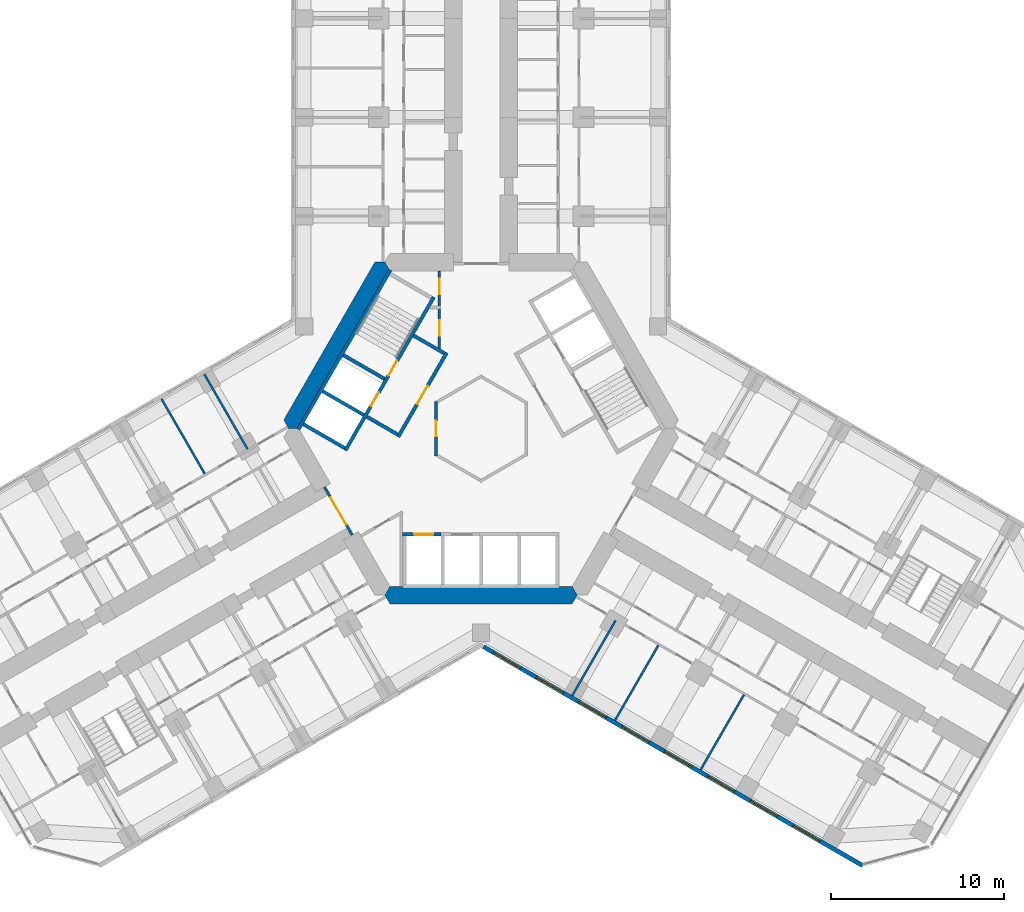
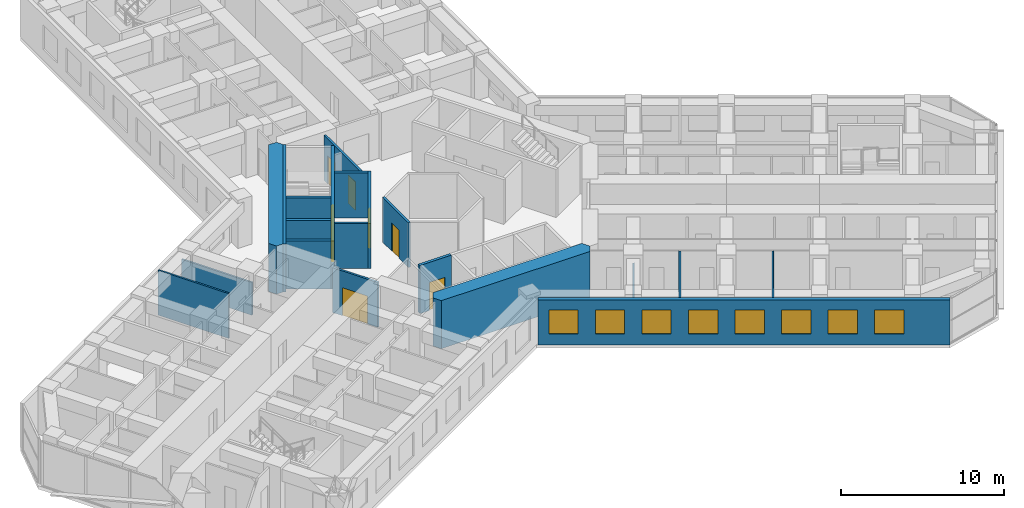
# One storey, part 13 of 21: 20 walls, 8 doors, 8 windows, 16 openings.
"""IFC4 building model written with IfcOpenShell, lengths in metres."""

from ifc_helpers import new_model, si_unit, direction, frame, frame_2d, origin, place, context, subcontext, project, spatial, polyline, rectangle, outline, extrude, material, layer, layer_set, type_object, element, fill, save


model = new_model("IFC4")

# Units and contexts
model_context = context("Model", 3, precision=1e-05, world=origin(), true_north=direction((0.0, 1.0)))
body_context = subcontext(model_context, "Body", "Model", "MODEL_VIEW")
ifc_project = project(units=[si_unit("LENGTHUNIT", "METRE"), si_unit("AREAUNIT", "SQUARE_METRE"), si_unit("VOLUMEUNIT", "CUBIC_METRE"), si_unit("PLANEANGLEUNIT", "RADIAN"), si_unit("MASSUNIT", "GRAM", prefix="KILO")], contexts=[model_context])

# Site, building, storey
site_placement = place(None, origin())
site = spatial("IfcSite", under=ifc_project, at=site_placement, CompositionType="ELEMENT")
building_placement = place(site_placement, origin())
building = spatial("IfcBuilding", under=site, at=building_placement, Name="Kosmar Iwan School Tower", CompositionType="ELEMENT")
storey_placement = place(building_placement, frame((0.0, 0.0, 68.199951171875)))
storey = spatial("IfcBuildingStorey", under=building, at=storey_placement, Name="L16", CompositionType="ELEMENT", Elevation=68.199951171875)

# Wall, openings, doors
ifc_material_1 = material(Name="Gypsum board on steel studs, fire-rated", Category="steel")
ifc_layer_1 = layer(ifc_material_1, 0.14990234375)
ifc_layer_set_1 = layer_set([ifc_layer_1], Name="Core room partition 150")
wall_type_1 = type_object("IfcWallType", Name="Core room partition 150", PredefinedType="PARTITIONING", material=ifc_layer_set_1)
wall_1_placement = place(storey_placement, frame((-2.39990234375, 9.094970703125, 0.0), z_axis=(0.0, 0.0, 1.0), x_axis=(0.0, -1.0, 0.0)))
wall_1 = element("IfcWall", 1, at=wall_1_placement, inside=storey, type_object=wall_type_1, Name="Core room partition L16-CW1", PredefinedType="PARTITIONING", context=body_context, shape_type="SweptSolid", body=[
    extrude(rectangle(XDim=4.564208984375, YDim=0.14990234375, at=frame_2d((2.2822265625, 0.0))), origin(), (0.0, 0.0, 1.0), 3.35009765625),
])
opening_1_placement = place(wall_1_placement, frame((0.455078125, 0.0, 0.0)))
opening_1 = element("IfcOpeningElement", 2, at=opening_1_placement, cuts=wall_1, Name="Opening D14", PredefinedType="OPENING", context=body_context, shape_type="SweptSolid", body=[
    extrude(rectangle(XDim=0.89990234375, YDim=2.10009765625, at=frame_2d((0.449951171875, 1.050048828125))), frame((0.0, 0.0869140625, 0.0), z_axis=(0.0, -1.0, 0.0), x_axis=(1.0, 0.0, 0.0)), (0.0, 0.0, 1.0), 0.173828125),
])
opening_2_placement = place(wall_1_placement, frame((2.85498046875, 0.0, 0.0)))
opening_2 = element("IfcOpeningElement", 3, at=opening_2_placement, cuts=wall_1, Name="Opening D14", PredefinedType="OPENING", context=body_context, shape_type="SweptSolid", body=[
    extrude(rectangle(XDim=0.89990234375, YDim=2.10009765625, at=frame_2d((0.449951171875, 1.050048828125))), frame((0.0, 0.0869140625, 0.0), z_axis=(0.0, -1.0, 0.0), x_axis=(1.0, 0.0, 0.0)), (0.0, 0.0, 1.0), 0.173828125),
])
ifc_material_2 = material(Name="Timber fire door in steel frame", Category="steel")
door_type_1 = type_object("IfcDoorType", Name="Core room door 900x2100", OperationType="SINGLE_SWING_LEFT", PredefinedType="DOOR", material=ifc_material_2)
door_1_placement = place(opening_1_placement, origin())
door_1 = element("IfcDoor", 4, at=door_1_placement, inside=storey, type_object=door_type_1, Name="Electrical riser and switch room door L16 1", OperationType="SINGLE_SWING_LEFT", OverallHeight=2.10009765625, OverallWidth=0.89990234375, PredefinedType="DOOR", context=body_context, shape_type="SweptSolid", body=[
    extrude(rectangle(XDim=0.89990234375, YDim=2.10009765625, at=frame_2d((0.449951171875, 1.050048828125))), frame((0.0, 0.02490234375, 0.0), z_axis=(0.0, -1.0, 0.0), x_axis=(1.0, 0.0, 0.0)), (0.0, 0.0, 1.0), 0.050048828125),
])
fill(opening_1, door_1)
door_2_placement = place(opening_2_placement, origin())
door_2 = element("IfcDoor", 5, at=door_2_placement, inside=storey, type_object=door_type_1, Name="Plumbing and wet riser door L16 2", OperationType="SINGLE_SWING_RIGHT", OverallHeight=2.10009765625, OverallWidth=0.89990234375, PredefinedType="DOOR", context=body_context, shape_type="SweptSolid", body=[
    extrude(rectangle(XDim=0.89990234375, YDim=2.10009765625, at=frame_2d((0.449951171875, 1.050048828125))), frame((0.0, 0.02490234375, 0.0), z_axis=(0.0, -1.0, 0.0), x_axis=(1.0, 0.0, 0.0)), (0.0, 0.0, 1.0), 0.050048828125),
])
fill(opening_2, door_2)

# Wall, opening, door
wall_2_placement = place(storey_placement, frame((-2.60009765625, -1.576171875, 0.0), z_axis=(0.0, 0.0, 1.0), x_axis=(0.0, 1.0, 0.0)))
wall_2 = element("IfcWall", 6, at=wall_2_placement, inside=storey, type_object=wall_type_1, Name="Core room partition L16-CW6", PredefinedType="PARTITIONING", context=body_context, shape_type="SweptSolid", body=[
    extrude(rectangle(XDim=3.15234375, YDim=0.14990234375, at=frame_2d((1.576171875, 0.0))), origin(), (0.0, 0.0, 1.0), 3.35009765625),
])
opening_3_placement = place(wall_2_placement, frame((1.1259765625, 0.0, 0.0)))
opening_3 = element("IfcOpeningElement", 7, at=opening_3_placement, cuts=wall_2, Name="Opening D14", PredefinedType="OPENING", context=body_context, shape_type="SweptSolid", body=[
    extrude(rectangle(XDim=0.89990234375, YDim=2.10009765625, at=frame_2d((0.449951171875, 1.050048828125))), frame((0.0, 0.0869140625, 0.0), z_axis=(0.0, -1.0, 0.0), x_axis=(1.0, 0.0, 0.0)), (0.0, 0.0, 1.0), 0.173828125),
])
door_3_placement = place(opening_3_placement, origin())
door_3 = element("IfcDoor", 8, at=door_3_placement, inside=storey, type_object=door_type_1, Name="Parcel room door L16 3", OperationType="SINGLE_SWING_LEFT", OverallHeight=2.10009765625, OverallWidth=0.89990234375, PredefinedType="DOOR", context=body_context, shape_type="SweptSolid", body=[
    extrude(rectangle(XDim=0.89990234375, YDim=2.10009765625, at=frame_2d((0.449951171875, 1.050048828125))), frame((0.0, 0.02490234375, 0.0), z_axis=(0.0, -1.0, 0.0), x_axis=(1.0, 0.0, 0.0)), (0.0, 0.0, 1.0), 0.050048828125),
])
fill(opening_3, door_3)

# Walls
ifc_material_3 = material(Name="Concrete C50/60", Category="concrete")
ifc_layer_2 = layer(ifc_material_3, 1.0)
ifc_layer_set_2 = layer_set([ifc_layer_2], Name="Core wall 1000")
wall_type_2 = type_object("IfcWallType", Name="Core wall 1000", PredefinedType="SHEAR", material=ifc_layer_set_2)
wall_3_placement = place(storey_placement, origin())
element("IfcWall", 9, at=wall_3_placement, inside=storey, type_object=wall_type_2, Name="Core wall F150", PredefinedType="SHEAR", context=body_context, shape_type="SweptSolid", body=[
    extrude(outline(polyline([(-11.085205078125, 0.0), (-10.5078125, 0.0), (-5.25390625, 9.10009765625), (-5.54248046875, 9.60009765625), (-6.119873046875, 9.60009765625), (-11.373779296875, 0.5), (-11.085205078125, 0.0)])), origin(), (0.0, 0.0, 1.0), 3.60009765625),
])
wall_4_placement = place(storey_placement, origin())
element("IfcWall", 10, at=wall_4_placement, inside=storey, type_object=wall_type_2, Name="Core wall F270", PredefinedType="SHEAR", context=body_context, shape_type="SweptSolid", body=[
    extrude(outline(polyline([(-5.25390625, -10.10009765625), (5.25390625, -10.10009765625), (5.54248046875, -9.60009765625), (5.25390625, -9.10009765625), (-5.25390625, -9.10009765625), (-5.54248046875, -9.60009765625), (-5.25390625, -10.10009765625)])), origin(), (0.0, 0.0, 1.0), 3.60009765625),
])

# Wall, opening, door
ifc_material_4 = material(Name="Steel framed glazed screen", Category="steel")
ifc_layer_3 = layer(ifc_material_4, 0.14990234375)
ifc_layer_set_3 = layer_set([ifc_layer_3], Name="Corridor screen wall 150")
wall_type_3 = type_object("IfcWallType", Name="Corridor screen wall 150", PredefinedType="PARTITIONING", material=ifc_layer_set_3)
wall_5_placement = place(storey_placement, frame((-9.02734375, -3.3642578125, 0.0), z_axis=(0.0, 0.0, 1.0), x_axis=(0.499995408039, -0.866028054938, 0.0)))
wall_5 = element("IfcWall", 11, at=wall_5_placement, inside=storey, type_object=wall_type_3, Name="Corridor screen B L16", PredefinedType="PARTITIONING", context=body_context, shape_type="SweptSolid", body=[
    extrude(rectangle(XDim=3.2001953125, YDim=0.14990234375, at=frame_2d((1.60009765625, 0.0))), origin(), (0.0, 0.0, 1.0), 3.35009765625),
])
opening_4_placement = place(wall_5_placement, frame((0.699951171875, 0.0, 0.0)))
opening_4 = element("IfcOpeningElement", 12, at=opening_4_placement, cuts=wall_5, Name="Opening D9", PredefinedType="OPENING", context=body_context, shape_type="SweptSolid", body=[
    extrude(rectangle(XDim=1.800048828125, YDim=2.10009765625, at=frame_2d((0.89990234375, 1.050048828125))), frame((0.0, 0.0869140625, 0.0), z_axis=(0.0, -1.0, 0.0), x_axis=(1.0, 0.0, 0.0)), (0.0, 0.0, 1.0), 0.173828125),
])
ifc_material_5 = material(Name="Steel framed glazed smoke door", Category="steel")
door_type_2 = type_object("IfcDoorType", Name="Corridor smoke door pair 1800x2100", OperationType="DOUBLE_DOOR_DOUBLE_SWING", PredefinedType="DOOR", material=ifc_material_5)
door_4_placement = place(opening_4_placement, origin())
door_4 = element("IfcDoor", 13, at=door_4_placement, inside=storey, type_object=door_type_2, Name="Corridor doors B L16", OperationType="DOUBLE_DOOR_DOUBLE_SWING", OverallHeight=2.10009765625, OverallWidth=1.800048828125, PredefinedType="DOOR", context=body_context, shape_type="SweptSolid", body=[
    extrude(rectangle(XDim=1.800048828125, YDim=2.10009765625, at=frame_2d((0.89990234375, 1.050048828125))), frame((0.0, 0.02490234375, 0.0), z_axis=(0.0, -1.0, 0.0), x_axis=(1.0, 0.0, 0.0)), (0.0, 0.0, 1.0), 0.050048828125),
])
fill(opening_4, door_4)

# Walls
ifc_material_6 = material(Name="Gypsum board on steel studs", Category="steel")
ifc_layer_4 = layer(ifc_material_6, 0.1201171875)
ifc_layer_set_4 = layer_set([ifc_layer_4], Name="Dwelling partition 120")
wall_type_4 = type_object("IfcWallType", Name="Dwelling partition 120", PredefinedType="PARTITIONING", material=ifc_layer_set_4)
wall_6_placement = place(storey_placement, frame((-13.4638671875, -1.179931640625, 0.0), z_axis=(0.0, 0.0, 1.0), x_axis=(-0.499996339024, 0.86602751744, 0.0)))
element("IfcWall", 14, at=wall_6_placement, inside=storey, type_object=wall_type_4, Name="Partition L16-BR1-X1", PredefinedType="PARTITIONING", context=body_context, shape_type="SweptSolid", body=[
    extrude(rectangle(XDim=4.98974609375, YDim=0.1201171875, at=frame_2d((2.494873046875, 0.0))), origin(), (0.0, 0.0, 1.0), 2.449951171875),
])
wall_7_placement = place(storey_placement, frame((-15.931884765625, -2.60498046875, 0.0), z_axis=(0.0, 0.0, 1.0), x_axis=(-0.500011847778, 0.866018563358, 0.0)))
element("IfcWall", 15, at=wall_7_placement, inside=storey, type_object=wall_type_4, Name="Partition L16-BR1-X2", PredefinedType="PARTITIONING", context=body_context, shape_type="SweptSolid", body=[
    extrude(rectangle(XDim=4.990234375, YDim=0.1201171875, at=frame_2d((2.4951171875, 0.0))), origin(), (0.0, 0.0, 1.0), 3.35009765625),
])
wall_8_placement = place(storey_placement, frame((7.75390625, -11.070068359375, 0.0), z_axis=(0.0, 0.0, 1.0), x_axis=(-0.500033033937, -0.866006330792, 0.0)))
element("IfcWall", 16, at=wall_8_placement, inside=storey, type_object=wall_type_4, Name="Partition L16-CR1-X1", PredefinedType="PARTITIONING", context=body_context, shape_type="SweptSolid", body=[
    extrude(rectangle(XDim=4.989990234375, YDim=0.1201171875, at=frame_2d((2.4951171875, 0.0))), origin(), (0.0, 0.0, 1.0), 2.449951171875),
])
wall_9_placement = place(storey_placement, frame((10.221923828125, -12.4951171875, 0.0), z_axis=(0.0, 0.0, 1.0), x_axis=(-0.499996339024, -0.86602751744, 0.0)))
element("IfcWall", 17, at=wall_9_placement, inside=storey, type_object=wall_type_4, Name="Partition L16-CR1-X2", PredefinedType="PARTITIONING", context=body_context, shape_type="SweptSolid", body=[
    extrude(rectangle(XDim=4.98974609375, YDim=0.1201171875, at=frame_2d((2.494873046875, 0.0))), origin(), (0.0, 0.0, 1.0), 3.35009765625),
])
wall_10_placement = place(storey_placement, frame((15.158447265625, -15.344970703125, 0.0), z_axis=(0.0, 0.0, 1.0), x_axis=(-0.500011847778, -0.866018563358, 0.0)))
element("IfcWall", 18, at=wall_10_placement, inside=storey, type_object=wall_type_4, Name="Partition L16-CR1-X3", PredefinedType="PARTITIONING", context=body_context, shape_type="SweptSolid", body=[
    extrude(rectangle(XDim=4.990234375, YDim=0.1201171875, at=frame_2d((2.4951171875, 0.0))), origin(), (0.0, 0.0, 1.0), 3.35009765625),
])

# Wall, openings, windows
ifc_material_7 = material(Name="Black aluminium rainscreen on insulated framing", Category="aluminium")
ifc_layer_5 = layer(ifc_material_7, 0.25)
ifc_layer_set_5 = layer_set([ifc_layer_5], Name="External wall rainscreen 250")
wall_type_5 = type_object("IfcWallType", Name="External wall rainscreen 250", PredefinedType="SOLIDWALL", material=ifc_layer_set_5)
wall_11_placement = place(storey_placement, frame((0.137939453125, -12.5791015625, 0.0), z_axis=(0.0, 0.0, 1.0), x_axis=(0.866023775649, -0.500002820003, 0.0)))
wall_11 = element("IfcWall", 19, at=wall_11_placement, inside=storey, type_object=wall_type_5, Name="External wall CR L16", PredefinedType="SOLIDWALL", context=body_context, shape_type="SweptSolid", body=[
    extrude(rectangle(XDim=25.226318359375, YDim=0.25, at=frame_2d((12.61328125, 0.0))), origin(), (0.0, 0.0, 1.0), 3.35009765625),
])
opening_5_placement = place(wall_11_placement, frame((0.666015625, 0.0, 0.800048828125)))
opening_5 = element("IfcOpeningElement", 20, at=opening_5_placement, cuts=wall_11, Name="Opening W1", PredefinedType="OPENING", context=body_context, shape_type="SweptSolid", body=[
    extrude(rectangle(XDim=1.800048828125, YDim=1.800048828125, at=frame_2d((0.89990234375, 0.89990234375))), frame((0.0, 0.136962890625, 0.0), z_axis=(0.0, -1.0, 0.0), x_axis=(1.0, 0.0, 0.0)), (0.0, 0.0, 1.0), 0.27392578125),
])
opening_6_placement = place(wall_11_placement, frame((3.51611328125, 0.0, 0.800048828125)))
opening_6 = element("IfcOpeningElement", 21, at=opening_6_placement, cuts=wall_11, Name="Opening W1", PredefinedType="OPENING", context=body_context, shape_type="SweptSolid", body=[
    extrude(rectangle(XDim=1.800048828125, YDim=1.800048828125, at=frame_2d((0.89990234375, 0.89990234375))), frame((0.0, 0.136962890625, 0.0), z_axis=(0.0, -1.0, 0.0), x_axis=(1.0, 0.0, 0.0)), (0.0, 0.0, 1.0), 0.27392578125),
])
opening_7_placement = place(wall_11_placement, frame((6.365966796875, 0.0, 0.800048828125)))
opening_7 = element("IfcOpeningElement", 22, at=opening_7_placement, cuts=wall_11, Name="Opening W1", PredefinedType="OPENING", context=body_context, shape_type="SweptSolid", body=[
    extrude(rectangle(XDim=1.800048828125, YDim=1.800048828125, at=frame_2d((0.89990234375, 0.89990234375))), frame((0.0, 0.136962890625, 0.0), z_axis=(0.0, -1.0, 0.0), x_axis=(1.0, 0.0, 0.0)), (0.0, 0.0, 1.0), 0.27392578125),
])
opening_8_placement = place(wall_11_placement, frame((9.216064453125, 0.0, 0.800048828125)))
opening_8 = element("IfcOpeningElement", 23, at=opening_8_placement, cuts=wall_11, Name="Opening W1", PredefinedType="OPENING", context=body_context, shape_type="SweptSolid", body=[
    extrude(rectangle(XDim=1.800048828125, YDim=1.800048828125, at=frame_2d((0.89990234375, 0.89990234375))), frame((0.0, 0.136962890625, 0.0), z_axis=(0.0, -1.0, 0.0), x_axis=(1.0, 0.0, 0.0)), (0.0, 0.0, 1.0), 0.27392578125),
])
opening_9_placement = place(wall_11_placement, frame((12.06591796875, 0.0, 0.800048828125)))
opening_9 = element("IfcOpeningElement", 24, at=opening_9_placement, cuts=wall_11, Name="Opening W1", PredefinedType="OPENING", context=body_context, shape_type="SweptSolid", body=[
    extrude(rectangle(XDim=1.800048828125, YDim=1.800048828125, at=frame_2d((0.89990234375, 0.89990234375))), frame((0.0, 0.136962890625, 0.0), z_axis=(0.0, -1.0, 0.0), x_axis=(1.0, 0.0, 0.0)), (0.0, 0.0, 1.0), 0.27392578125),
])
opening_10_placement = place(wall_11_placement, frame((14.916015625, 0.0, 0.800048828125)))
opening_10 = element("IfcOpeningElement", 25, at=opening_10_placement, cuts=wall_11, Name="Opening W1", PredefinedType="OPENING", context=body_context, shape_type="SweptSolid", body=[
    extrude(rectangle(XDim=1.800048828125, YDim=1.800048828125, at=frame_2d((0.89990234375, 0.89990234375))), frame((0.0, 0.136962890625, 0.0), z_axis=(0.0, -1.0, 0.0), x_axis=(1.0, 0.0, 0.0)), (0.0, 0.0, 1.0), 0.27392578125),
])
opening_11_placement = place(wall_11_placement, frame((17.76611328125, 0.0, 0.800048828125)))
opening_11 = element("IfcOpeningElement", 26, at=opening_11_placement, cuts=wall_11, Name="Opening W1", PredefinedType="OPENING", context=body_context, shape_type="SweptSolid", body=[
    extrude(rectangle(XDim=1.800048828125, YDim=1.800048828125, at=frame_2d((0.89990234375, 0.89990234375))), frame((0.0, 0.136962890625, 0.0), z_axis=(0.0, -1.0, 0.0), x_axis=(1.0, 0.0, 0.0)), (0.0, 0.0, 1.0), 0.27392578125),
])
opening_12_placement = place(wall_11_placement, frame((20.615966796875, 0.0, 0.800048828125)))
opening_12 = element("IfcOpeningElement", 27, at=opening_12_placement, cuts=wall_11, Name="Opening W1", PredefinedType="OPENING", context=body_context, shape_type="SweptSolid", body=[
    extrude(rectangle(XDim=1.800048828125, YDim=1.800048828125, at=frame_2d((0.89990234375, 0.89990234375))), frame((0.0, 0.136962890625, 0.0), z_axis=(0.0, -1.0, 0.0), x_axis=(1.0, 0.0, 0.0)), (0.0, 0.0, 1.0), 0.27392578125),
])
ifc_material_8 = material(Name="Black aluminium frame with dark triple glazing", Category="aluminium")
window_type = type_object("IfcWindowType", Name="Window 1800x1800", PartitioningType="SINGLE_PANEL", PredefinedType="WINDOW", material=ifc_material_8)
window_1_placement = place(opening_5_placement, origin())
window_1 = element("IfcWindow", 28, at=window_1_placement, inside=storey, type_object=window_type, Name="Window CR L16 -1", OverallHeight=1.800048828125, OverallWidth=1.800048828125, PartitioningType="SINGLE_PANEL", PredefinedType="WINDOW", context=body_context, shape_type="SweptSolid", body=[
    extrude(rectangle(XDim=1.800048828125, YDim=1.800048828125, at=frame_2d((0.89990234375, 0.89990234375))), frame((0.0, 0.030029296875, 0.0), z_axis=(0.0, -1.0, 0.0), x_axis=(1.0, 0.0, 0.0)), (0.0, 0.0, 1.0), 0.06005859375),
])
fill(opening_5, window_1)
window_2_placement = place(opening_6_placement, origin())
window_2 = element("IfcWindow", 29, at=window_2_placement, inside=storey, type_object=window_type, Name="Window CR L16 0", OverallHeight=1.800048828125, OverallWidth=1.800048828125, PartitioningType="SINGLE_PANEL", PredefinedType="WINDOW", context=body_context, shape_type="SweptSolid", body=[
    extrude(rectangle(XDim=1.800048828125, YDim=1.800048828125, at=frame_2d((0.89990234375, 0.89990234375))), frame((0.0, 0.030029296875, 0.0), z_axis=(0.0, -1.0, 0.0), x_axis=(1.0, 0.0, 0.0)), (0.0, 0.0, 1.0), 0.06005859375),
])
fill(opening_6, window_2)
window_3_placement = place(opening_7_placement, origin())
window_3 = element("IfcWindow", 30, at=window_3_placement, inside=storey, type_object=window_type, Name="Window CR L16 1", OverallHeight=1.800048828125, OverallWidth=1.800048828125, PartitioningType="SINGLE_PANEL", PredefinedType="WINDOW", context=body_context, shape_type="SweptSolid", body=[
    extrude(rectangle(XDim=1.800048828125, YDim=1.800048828125, at=frame_2d((0.89990234375, 0.89990234375))), frame((0.0, 0.030029296875, 0.0), z_axis=(0.0, -1.0, 0.0), x_axis=(1.0, 0.0, 0.0)), (0.0, 0.0, 1.0), 0.06005859375),
])
fill(opening_7, window_3)
window_4_placement = place(opening_8_placement, origin())
window_4 = element("IfcWindow", 31, at=window_4_placement, inside=storey, type_object=window_type, Name="Window CR L16 2", OverallHeight=1.800048828125, OverallWidth=1.800048828125, PartitioningType="SINGLE_PANEL", PredefinedType="WINDOW", context=body_context, shape_type="SweptSolid", body=[
    extrude(rectangle(XDim=1.800048828125, YDim=1.800048828125, at=frame_2d((0.89990234375, 0.89990234375))), frame((0.0, 0.030029296875, 0.0), z_axis=(0.0, -1.0, 0.0), x_axis=(1.0, 0.0, 0.0)), (0.0, 0.0, 1.0), 0.06005859375),
])
fill(opening_8, window_4)
window_5_placement = place(opening_9_placement, origin())
window_5 = element("IfcWindow", 32, at=window_5_placement, inside=storey, type_object=window_type, Name="Window CR L16 3", OverallHeight=1.800048828125, OverallWidth=1.800048828125, PartitioningType="SINGLE_PANEL", PredefinedType="WINDOW", context=body_context, shape_type="SweptSolid", body=[
    extrude(rectangle(XDim=1.800048828125, YDim=1.800048828125, at=frame_2d((0.89990234375, 0.89990234375))), frame((0.0, 0.030029296875, 0.0), z_axis=(0.0, -1.0, 0.0), x_axis=(1.0, 0.0, 0.0)), (0.0, 0.0, 1.0), 0.06005859375),
])
fill(opening_9, window_5)
window_6_placement = place(opening_10_placement, origin())
window_6 = element("IfcWindow", 33, at=window_6_placement, inside=storey, type_object=window_type, Name="Window CR L16 4", OverallHeight=1.800048828125, OverallWidth=1.800048828125, PartitioningType="SINGLE_PANEL", PredefinedType="WINDOW", context=body_context, shape_type="SweptSolid", body=[
    extrude(rectangle(XDim=1.800048828125, YDim=1.800048828125, at=frame_2d((0.89990234375, 0.89990234375))), frame((0.0, 0.030029296875, 0.0), z_axis=(0.0, -1.0, 0.0), x_axis=(1.0, 0.0, 0.0)), (0.0, 0.0, 1.0), 0.06005859375),
])
fill(opening_10, window_6)
window_7_placement = place(opening_11_placement, origin())
window_7 = element("IfcWindow", 34, at=window_7_placement, inside=storey, type_object=window_type, Name="Window CR L16 5", OverallHeight=1.800048828125, OverallWidth=1.800048828125, PartitioningType="SINGLE_PANEL", PredefinedType="WINDOW", context=body_context, shape_type="SweptSolid", body=[
    extrude(rectangle(XDim=1.800048828125, YDim=1.800048828125, at=frame_2d((0.89990234375, 0.89990234375))), frame((0.0, 0.030029296875, 0.0), z_axis=(0.0, -1.0, 0.0), x_axis=(1.0, 0.0, 0.0)), (0.0, 0.0, 1.0), 0.06005859375),
])
fill(opening_11, window_7)
window_8_placement = place(opening_12_placement, origin())
window_8 = element("IfcWindow", 35, at=window_8_placement, inside=storey, type_object=window_type, Name="Window CR L16 6", OverallHeight=1.800048828125, OverallWidth=1.800048828125, PartitioningType="SINGLE_PANEL", PredefinedType="WINDOW", context=body_context, shape_type="SweptSolid", body=[
    extrude(rectangle(XDim=1.800048828125, YDim=1.800048828125, at=frame_2d((0.89990234375, 0.89990234375))), frame((0.0, 0.030029296875, 0.0), z_axis=(0.0, -1.0, 0.0), x_axis=(1.0, 0.0, 0.0)), (0.0, 0.0, 1.0), 0.06005859375),
])
fill(opening_12, window_8)

# Wall, opening, door
ifc_material_9 = material(Name="Concrete block masonry", Category="masonry")
ifc_layer_6 = layer(ifc_material_9, 0.199951171875)
ifc_layer_set_6 = layer_set([ifc_layer_6], Name="Fire lobby wall 200")
wall_type_6 = type_object("IfcWallType", Name="Fire lobby wall 200", PredefinedType="PARTITIONING", material=ifc_layer_set_6)
wall_12_placement = place(storey_placement, frame((-1.9775390625, 4.374755859375, 0.0), z_axis=(0.0, 0.0, 1.0), x_axis=(-0.500016814911, -0.866015695474, 0.0)))
wall_12 = element("IfcWall", 36, at=wall_12_placement, inside=storey, type_object=wall_type_6, Name="Firefighting lobby wall ST2", PredefinedType="PARTITIONING", context=body_context, shape_type="SweptSolid", body=[
    extrude(rectangle(XDim=5.599853515625, YDim=0.199951171875, at=frame_2d((2.7998046875, 0.0))), origin(), (0.0, 0.0, 1.0), 3.35009765625),
])
opening_13_placement = place(wall_12_placement, frame((2.199951171875, 0.0, 0.0)))
opening_13 = element("IfcOpeningElement", 37, at=opening_13_placement, cuts=wall_12, Name="Opening D7", PredefinedType="OPENING", context=body_context, shape_type="SweptSolid", body=[
    extrude(rectangle(XDim=1.199951171875, YDim=2.10009765625, at=frame_2d((0.60009765625, 1.050048828125))), frame((0.0, 0.112060546875, 0.0), z_axis=(0.0, -1.0, 0.0), x_axis=(1.0, 0.0, 0.0)), (0.0, 0.0, 1.0), 0.223876953125),
])
ifc_material_10 = material(Name="Steel fire door", Category="steel")
door_type_3 = type_object("IfcDoorType", Name="Fire lobby door 1200x2100", OperationType="SINGLE_SWING_LEFT", PredefinedType="DOOR", material=ifc_material_10)
door_5_placement = place(opening_13_placement, frame((1.199951171875, 0.0, 0.0), z_axis=(0.0, 0.0, 1.0), x_axis=(-1.0, 0.0, 0.0)))
door_5 = element("IfcDoor", 38, at=door_5_placement, inside=storey, type_object=door_type_3, Name="Firefighting lobby door ST2 L16", OperationType="SINGLE_SWING_LEFT", OverallHeight=2.10009765625, OverallWidth=1.199951171875, PredefinedType="DOOR", context=body_context, shape_type="SweptSolid", body=[
    extrude(rectangle(XDim=1.199951171875, YDim=2.10009765625, at=frame_2d((0.60009765625, 1.050048828125))), frame((0.0, 0.02490234375, 0.0), z_axis=(0.0, -1.0, 0.0), x_axis=(1.0, 0.0, 0.0)), (0.0, 0.0, 1.0), 0.050048828125),
])
fill(opening_13, door_5)

# Walls
wall_13_placement = place(storey_placement, frame((-2.114013671875, 4.33837890625, 0.0), z_axis=(0.0, 0.0, 1.0), x_axis=(-0.866050731258, 0.499956128963, 0.0)))
element("IfcWall", 39, at=wall_13_placement, inside=storey, type_object=wall_type_6, Name="Firefighting lobby wall ST2", PredefinedType="PARTITIONING", context=body_context, shape_type="SweptSolid", body=[
    extrude(rectangle(XDim=2.050048828125, YDim=0.199951171875, at=frame_2d((1.02490234375, 0.0))), origin(), (0.0, 0.0, 1.0), 3.35009765625),
])
wall_14_placement = place(storey_placement, frame((-4.814208984375, -0.33837890625, 0.0), z_axis=(0.0, 0.0, 1.0), x_axis=(-0.865969381856, 0.500097020274, 0.0)))
element("IfcWall", 40, at=wall_14_placement, inside=storey, type_object=wall_type_6, Name="Firefighting lobby wall ST2", PredefinedType="PARTITIONING", context=body_context, shape_type="SweptSolid", body=[
    extrude(rectangle(XDim=2.0498046875, YDim=0.199951171875, at=frame_2d((1.02490234375, 0.0))), origin(), (0.0, 0.0, 1.0), 3.35009765625),
])

# Wall, openings, doors
ifc_material_11 = material(Name="Concrete C50/60", Category="concrete")
ifc_layer_7 = layer(ifc_material_11, 0.199951171875)
ifc_layer_set_7 = layer_set([ifc_layer_7], Name="Lift shaft wall 200")
wall_type_7 = type_object("IfcWallType", Name="Lift shaft wall 200", PredefinedType="SHEAR", material=ifc_layer_set_7)
wall_15_placement = place(storey_placement, frame((-2.72607421875, 7.578369140625, 0.0), z_axis=(0.0, 0.0, 1.0), x_axis=(-0.500005610874, -0.86602216432, 0.0)))
wall_15 = element("IfcWall", 41, at=wall_15_placement, inside=storey, type_object=wall_type_7, Name="Lift and stair front wall AB", PredefinedType="SHEAR", context=body_context, shape_type="SweptSolid", body=[
    extrude(rectangle(XDim=10.2001953125, YDim=0.199951171875, at=frame_2d((5.10009765625, 0.0))), origin(), (0.0, 0.0, 1.0), 3.60009765625),
])
opening_14_placement = place(wall_15_placement, frame((6.35009765625, 0.0, 0.0)))
opening_14 = element("IfcOpeningElement", 42, at=opening_14_placement, cuts=wall_15, Name="Opening LD2", PredefinedType="OPENING", context=body_context, shape_type="SweptSolid", body=[
    extrude(rectangle(XDim=0.89990234375, YDim=2.10009765625, at=frame_2d((0.449951171875, 1.050048828125))), frame((0.0, 0.112060546875, 0.0), z_axis=(0.0, -1.0, 0.0), x_axis=(1.0, 0.0, 0.0)), (0.0, 0.0, 1.0), 0.223876953125),
])
opening_15_placement = place(wall_15_placement, frame((4.22998046875, 0.0, 0.0)))
opening_15 = element("IfcOpeningElement", 43, at=opening_15_placement, cuts=wall_15, Name="Opening D6", PredefinedType="OPENING", context=body_context, shape_type="SweptSolid", body=[
    extrude(rectangle(XDim=1.0, YDim=2.10009765625, at=frame_2d((0.5, 1.050048828125))), frame((0.0, 0.112060546875, 0.0), z_axis=(0.0, -1.0, 0.0), x_axis=(1.0, 0.0, 0.0)), (0.0, 0.0, 1.0), 0.223876953125),
])
ifc_material_12 = material(Name="Stainless steel sliding lift door", Category="steel")
door_type_4 = type_object("IfcDoorType", Name="Firefighting lift landing door 900x2100", OperationType="SLIDING_TO_LEFT", PredefinedType="DOOR", material=ifc_material_12)
door_6_placement = place(opening_14_placement, origin())
door_6 = element("IfcDoor", 44, at=door_6_placement, inside=storey, type_object=door_type_4, Name="Lift FF2 landing door L16", OperationType="SLIDING_TO_LEFT", OverallHeight=2.10009765625, OverallWidth=0.89990234375, PredefinedType="DOOR", context=body_context, shape_type="SweptSolid", body=[
    extrude(rectangle(XDim=0.89990234375, YDim=2.10009765625, at=frame_2d((0.449951171875, 1.050048828125))), frame((0.0, 0.02490234375, 0.0), z_axis=(0.0, -1.0, 0.0), x_axis=(1.0, 0.0, 0.0)), (0.0, 0.0, 1.0), 0.050048828125),
])
fill(opening_14, door_6)
ifc_material_13 = material(Name="Steel fire door", Category="steel")
door_type_5 = type_object("IfcDoorType", Name="Stair door 1000x2100", OperationType="SINGLE_SWING_LEFT", PredefinedType="DOOR", material=ifc_material_13)
door_7_placement = place(opening_15_placement, origin())
door_7 = element("IfcDoor", 45, at=door_7_placement, inside=storey, type_object=door_type_5, Name="Stair ST2 door L16", OperationType="SINGLE_SWING_LEFT", OverallHeight=2.10009765625, OverallWidth=1.0, PredefinedType="DOOR", context=body_context, shape_type="SweptSolid", body=[
    extrude(rectangle(XDim=1.0, YDim=2.10009765625, at=frame_2d((0.5, 1.050048828125))), frame((0.0, 0.02490234375, 0.0), z_axis=(0.0, -1.0, 0.0), x_axis=(1.0, 0.0, 0.0)), (0.0, 0.0, 1.0), 0.050048828125),
])
fill(opening_15, door_7)

# Walls
wall_16_placement = place(storey_placement, frame((-5.22509765625, 9.14990234375, 0.0), z_axis=(0.0, 0.0, 1.0), x_axis=(-0.499994998079, -0.866028291626, 0.0)))
element("IfcWall", 46, at=wall_16_placement, inside=storey, type_object=wall_type_7, Name="Lift and stair back wall AB", PredefinedType="SHEAR", context=body_context, shape_type="SweptSolid", body=[
    extrude(rectangle(XDim=10.623046875, YDim=0.199951171875, at=frame_2d((5.3115234375, 0.0))), origin(), (0.0, 0.0, 1.0), 3.60009765625),
])
for number, where, z_axis, x_axis, name in (
    (47, (-6.7626953125, 0.78662109375, 0.0), (0.0, 0.0, 1.0), (-0.866027397988, 0.499996545922, 0.0), "Lift shaft wall AB 1"),
    (48, (-7.862548828125, -1.118408203125, 0.0), (0.0, 0.0, 1.0), (-0.866027397988, 0.499996545922, 0.0), "Lift shaft wall AB 2"),
):
    element("IfcWall", number, at=place(storey_placement, frame(where, z_axis=z_axis, x_axis=x_axis)), inside=storey, type_object=wall_type_7, Name=name, PredefinedType="SHEAR", context=body_context, shape_type="SweptSolid", body=[
        extrude(rectangle(XDim=2.75, YDim=0.199951171875, at=frame_2d((1.375, 0.0))), origin(), (0.0, 0.0, 1.0), 3.60009765625),
    ])

# Wall, opening, door
wall_17_placement = place(storey_placement, frame((-4.52490234375, -6.10009765625, 0.0), z_axis=(0.0, 0.0, 1.0), x_axis=(1.0, 0.0, 0.0)))
wall_17 = element("IfcWall", 49, at=wall_17_placement, inside=storey, type_object=wall_type_7, Name="Lift and stair front wall BC", PredefinedType="SHEAR", context=body_context, shape_type="SweptSolid", body=[
    extrude(rectangle(XDim=2.224853515625, YDim=0.199951171875, at=frame_2d((1.1123046875, 0.0))), origin(), (0.0, 0.0, 1.0), 3.60009765625),
])
opening_16_placement = place(wall_17_placement, frame((0.675048828125, 0.0, 0.0)))
opening_16 = element("IfcOpeningElement", 50, at=opening_16_placement, cuts=wall_17, Name="Opening LD1", PredefinedType="OPENING", context=body_context, shape_type="SweptSolid", body=[
    extrude(rectangle(XDim=1.10009765625, YDim=2.10009765625, at=frame_2d((0.550048828125, 1.050048828125))), frame((0.0, 0.112060546875, 0.0), z_axis=(0.0, -1.0, 0.0), x_axis=(1.0, 0.0, 0.0)), (0.0, 0.0, 1.0), 0.223876953125),
])
ifc_material_14 = material(Name="Stainless steel sliding lift door", Category="steel")
door_type_6 = type_object("IfcDoorType", Name="Lift landing door 1100x2100", OperationType="SLIDING_TO_LEFT", PredefinedType="DOOR", material=ifc_material_14)
door_8_placement = place(opening_16_placement, origin())
door_8 = element("IfcDoor", 51, at=door_8_placement, inside=storey, type_object=door_type_6, Name="Lift PL1 landing door L16", OperationType="SLIDING_TO_LEFT", OverallHeight=2.10009765625, OverallWidth=1.10009765625, PredefinedType="DOOR", context=body_context, shape_type="SweptSolid", body=[
    extrude(rectangle(XDim=1.10009765625, YDim=2.10009765625, at=frame_2d((0.550048828125, 1.050048828125))), frame((0.0, 0.02490234375, 0.0), z_axis=(0.0, -1.0, 0.0), x_axis=(1.0, 0.0, 0.0)), (0.0, 0.0, 1.0), 0.050048828125),
])
fill(opening_16, door_8)

# Wall
ifc_material_15 = material(Name="Concrete C50/60", Category="concrete")
ifc_layer_8 = layer(ifc_material_15, 0.199951171875)
ifc_layer_set_8 = layer_set([ifc_layer_8], Name="Stair enclosure wall 200")
wall_type_8 = type_object("IfcWallType", Name="Stair enclosure wall 200", PredefinedType="SHEAR", material=ifc_layer_set_8)
wall_18_placement = place(storey_placement, frame((-5.562744140625, 2.865234375, 0.0), z_axis=(0.0, 0.0, 1.0), x_axis=(-0.866027397988, 0.499996545922, 0.0)))
element("IfcWall", 52, at=wall_18_placement, inside=storey, type_object=wall_type_8, Name="Stair ST2 wall", PredefinedType="SHEAR", context=body_context, shape_type="SweptSolid", body=[
    extrude(rectangle(XDim=2.75, YDim=0.199951171875, at=frame_2d((1.375, 0.0))), origin(), (0.0, 0.0, 1.0), 3.60009765625),
])

save(model, "model.ifc")
